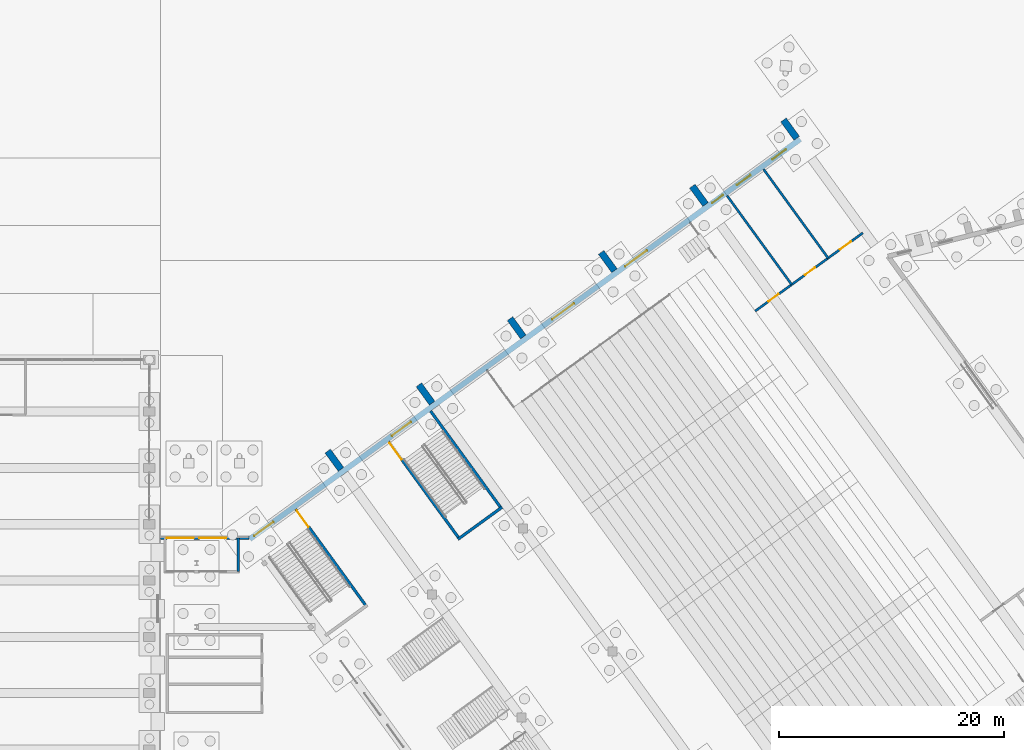
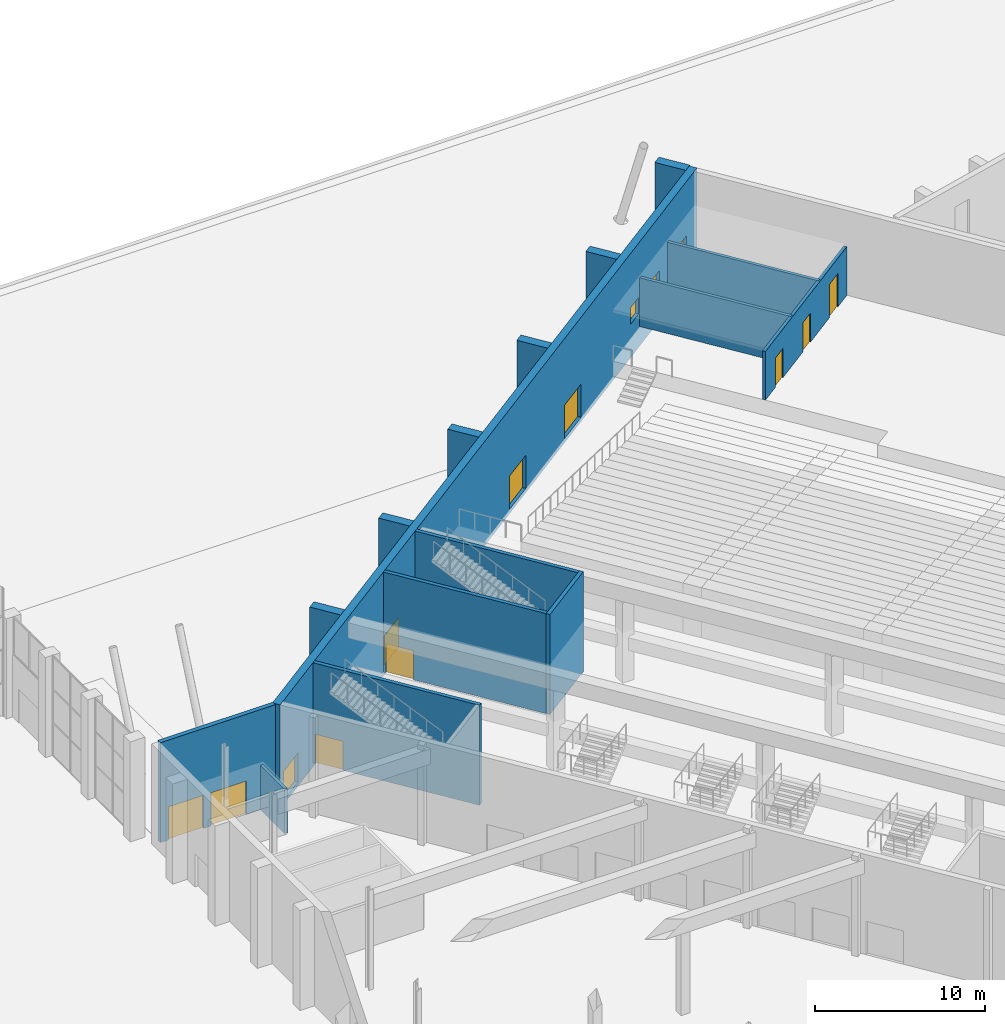
# One storey, part 187 of 239: 16 walls, 11 doors, 3 windows, 14 openings.
"""IFC4 building model written with IfcOpenShell, lengths in metres."""

from ifc_helpers import new_model, si_unit, direction, frame, frame_2d, origin, place, context, subcontext, project, spatial, rectangle, extrude, material, layer, layer_set, type_object, element, fill, save


model = new_model("IFC4")

# Units and contexts
model_context = context("Model", 3, precision=1e-05, world=origin(), true_north=direction((0.0, 1.0)))
body_context = subcontext(model_context, "Body", "Model", "MODEL_VIEW")
ifc_project = project(units=[si_unit("LENGTHUNIT", "METRE"), si_unit("AREAUNIT", "SQUARE_METRE"), si_unit("VOLUMEUNIT", "CUBIC_METRE"), si_unit("PLANEANGLEUNIT", "RADIAN"), si_unit("MASSUNIT", "GRAM", prefix="KILO")], contexts=[model_context])

# Site, building, storey
site_placement = place(None, origin())
site = spatial("IfcSite", under=ifc_project, at=site_placement, CompositionType="ELEMENT")
building_placement = place(site_placement, origin())
building = spatial("IfcBuilding", under=site, at=building_placement, Name="Okhra Congress Centre", CompositionType="ELEMENT")
storey_placement = place(building_placement, origin())
storey = spatial("IfcBuildingStorey", under=building, at=storey_placement, Name="L00", CompositionType="ELEMENT", Elevation=0.0)

# Walls
ifc_material_1 = material(Name="Concrete C35/45", Category="concrete")
ifc_layer_1 = layer(ifc_material_1, 0.60009765625)
ifc_layer_set_1 = layer_set([ifc_layer_1], Name="Buttress fin 600 R 120 C35/45")
wall_type_1 = type_object("IfcWallType", Name="Buttress fin 600 R 120 C35/45", PredefinedType="SOLIDWALL", material=ifc_layer_set_1)
for number, where, z_axis, x_axis, name in (
    (1, (206.013427734375, 205.8759765625, -0.300048828125), (0.0, 0.0, 1.0), (-0.587881334972, 0.808947177504, 0.0), "Buttress fin N -20 L00"),
    (2, (214.103515625, 211.753662109375, -0.300048828125), (0.0, 0.0, 1.0), (-0.587743397701, 0.809047401861, 0.0), "Buttress fin N -10 L00"),
    (3, (222.193603515625, 217.631591796875, -0.300048828125), (0.0, 0.0, 1.0), (-0.587743397701, 0.809047401861, 0.0), "Buttress fin N 0 L00"),
    (4, (230.283935546875, 223.509521484375, -0.300048828125), (0.0, 0.0, 1.0), (-0.587881334972, 0.808947177504, 0.0), "Buttress fin N 10 L00"),
    (5, (238.3740234375, 229.38720703125, -0.300048828125), (0.0, 0.0, 1.0), (-0.587743397701, 0.809047401861, 0.0), "Buttress fin N 20 L00"),
    (6, (246.464111328125, 235.26513671875, -0.300048828125), (0.0, 0.0, 1.0), (-0.587743397701, 0.809047401861, 0.0), "Buttress fin N 30 L00"),
):
    element("IfcWall", number, at=place(storey_placement, frame(where, z_axis=z_axis, x_axis=x_axis)), inside=storey, type_object=wall_type_1, Name=name, PredefinedType="SOLIDWALL", context=body_context, shape_type="SweptSolid", body=[
        extrude(rectangle(XDim=2.0, YDim=0.60009765625, at=frame_2d((1.0, 0.0))), origin(), (0.0, 0.0, 1.0), 7.5),
    ])

# Wall, opening, door
ifc_layer_2 = layer(ifc_material_1, 0.25)
ifc_layer_set_2 = layer_set([ifc_layer_2], Name="RC stair cell wall 250 REI 120 C35/45")
wall_type_2 = type_object("IfcWallType", Name="RC stair cell wall 250 REI 120 C35/45", PredefinedType="SOLIDWALL", material=ifc_layer_set_2)
wall_1_placement = place(storey_placement, frame((201.999267578125, 202.341552734375, 0.0), z_axis=(0.0, 0.0, 1.0), x_axis=(0.587775969834, -0.809023738395, 0.0)))
wall_1 = element("IfcWall", 7, at=wall_1_placement, inside=storey, type_object=wall_type_2, Name="Escape stair 3 wall W L00", PredefinedType="SOLIDWALL", context=body_context, shape_type="SweptSolid", body=[
    extrude(rectangle(XDim=10.75, YDim=0.25, at=frame_2d((5.375, 0.0))), origin(), (0.0, 0.0, 1.0), 7.199951171875),
])
opening_1_placement = place(wall_1_placement, frame((0.14990234375, 0.0, 0.0)))
opening_1 = element("IfcOpeningElement", 8, at=opening_1_placement, cuts=wall_1, Name="Opening L00-204", PredefinedType="OPENING", context=body_context, shape_type="SweptSolid", body=[
    extrude(rectangle(XDim=1.800048828125, YDim=2.10009765625, at=frame_2d((0.89990234375, 1.050048828125))), frame((0.0, 0.135009765625, 0.0), z_axis=(0.0, -1.0, 0.0), x_axis=(1.0, 0.0, 0.0)), (0.0, 0.0, 1.0), 0.27001953125),
])
ifc_material_2 = material(Name="Steel fire door leaves in steel frame, intumescent seals", Category="steel")
door_type_1 = type_object("IfcDoorType", Name="Steel fire door pair 1800x2100 EI 30", OperationType="NOTDEFINED", PredefinedType="DOOR", material=ifc_material_2)
door_1_placement = place(opening_1_placement, origin())
door_1 = element("IfcDoor", 9, at=door_1_placement, inside=storey, type_object=door_type_1, Name="Door L00-204", OperationType="DOUBLE_DOOR_SINGLE_SWING", OverallHeight=2.10009765625, OverallWidth=1.800048828125, PredefinedType="DOOR", context=body_context, shape_type="SweptSolid", body=[
    extrude(rectangle(XDim=1.800048828125, YDim=2.10009765625, at=frame_2d((0.89990234375, 1.050048828125))), frame((0.0, 0.02490234375, 0.0), z_axis=(0.0, -1.0, 0.0), x_axis=(1.0, 0.0, 0.0)), (0.0, 0.0, 1.0), 0.050048828125),
])
fill(opening_1, door_1)

wall_2_placement = place(storey_placement, frame((210.251220703125, 208.3369140625, 0.0), z_axis=(0.0, 0.0, 1.0), x_axis=(0.587775969834, -0.809023738395, 0.0)))
wall_2 = element("IfcWall", 10, at=wall_2_placement, inside=storey, type_object=wall_type_2, Name="Escape stair 4 wall W L00", PredefinedType="SOLIDWALL", context=body_context, shape_type="SweptSolid", body=[
    extrude(rectangle(XDim=10.75, YDim=0.25, at=frame_2d((5.375, 0.0))), origin(), (0.0, 0.0, 1.0), 7.199951171875),
])
opening_2_placement = place(wall_2_placement, frame((0.14990234375, 0.0, 0.0)))
opening_2 = element("IfcOpeningElement", 11, at=opening_2_placement, cuts=wall_2, Name="Opening L00-206", PredefinedType="OPENING", context=body_context, shape_type="SweptSolid", body=[
    extrude(rectangle(XDim=1.800048828125, YDim=2.10009765625, at=frame_2d((0.89990234375, 1.050048828125))), frame((0.0, 0.135009765625, 0.0), z_axis=(0.0, -1.0, 0.0), x_axis=(1.0, 0.0, 0.0)), (0.0, 0.0, 1.0), 0.27001953125),
])
door_2_placement = place(opening_2_placement, frame((1.800048828125, 0.0, 0.0), z_axis=(0.0, 0.0, 1.0), x_axis=(-1.0, 0.0, 0.0)))
door_2 = element("IfcDoor", 12, at=door_2_placement, inside=storey, type_object=door_type_1, Name="Door L00-206", OperationType="DOUBLE_DOOR_SINGLE_SWING", OverallHeight=2.10009765625, OverallWidth=1.800048828125, PredefinedType="DOOR", context=body_context, shape_type="SweptSolid", body=[
    extrude(rectangle(XDim=1.800048828125, YDim=2.10009765625, at=frame_2d((0.89990234375, 1.050048828125))), frame((0.0, 0.02490234375, 0.0), z_axis=(0.0, -1.0, 0.0), x_axis=(1.0, 0.0, 0.0)), (0.0, 0.0, 1.0), 0.050048828125),
])
fill(opening_2, door_2)

# Walls
wall_3_placement = place(storey_placement, frame((213.97265625, 211.040771484375, 0.0), z_axis=(0.0, 0.0, 1.0), x_axis=(0.587775969834, -0.809023738395, 0.0)))
element("IfcWall", 13, at=wall_3_placement, inside=storey, type_object=wall_type_2, Name="Escape stair 4 wall E L00", PredefinedType="SOLIDWALL", context=body_context, shape_type="SweptSolid", body=[
    extrude(rectangle(XDim=10.75, YDim=0.25, at=frame_2d((5.375, 0.0))), origin(), (0.0, 0.0, 1.0), 7.199951171875),
])
wall_4_placement = place(storey_placement, frame((216.395263671875, 199.66748046875, 0.0), z_axis=(0.0, 0.0, 1.0), x_axis=(0.809016791155, 0.587785532001, 0.0)))
element("IfcWall", 14, at=wall_4_placement, inside=storey, type_object=wall_type_2, Name="Escape stair 4 wall F L00", PredefinedType="SOLIDWALL", context=body_context, shape_type="SweptSolid", body=[
    extrude(rectangle(XDim=4.85009765625, YDim=0.25, at=frame_2d((2.425048828125, 0.0))), origin(), (0.0, 0.0, 1.0), 7.199951171875),
])
ifc_material_3 = material(Name="Concrete C30/37", Category="concrete")
ifc_layer_3 = layer(ifc_material_3, 0.199951171875)
ifc_layer_set_3 = layer_set([ifc_layer_3], Name="RC wall 200 C30/37")
wall_type_3 = type_object("IfcWallType", Name="RC wall 200 C30/37", PredefinedType="SOLIDWALL", material=ifc_layer_set_3)
wall_5_placement = place(storey_placement, frame((196.89990234375, 199.7900390625, 0.0), z_axis=(0.0, 0.0, 1.0), x_axis=(0.0, -1.0, 0.0)))
element("IfcWall", 15, at=wall_5_placement, inside=storey, type_object=wall_type_3, Name="Vestibule 4 side wall 2", PredefinedType="SOLIDWALL", context=body_context, shape_type="SweptSolid", body=[
    extrude(rectangle(XDim=3.0, YDim=0.199951171875, at=frame_2d((1.5, 0.0))), origin(), (0.0, 0.0, 1.0), 3.199951171875),
])

# Wall, openings, doors
ifc_layer_4 = layer(ifc_material_3, 0.199951171875)
ifc_layer_set_4 = layer_set([ifc_layer_4], Name="RC wall 200 REI 120 C30/37")
wall_type_4 = type_object("IfcWallType", Name="RC wall 200 REI 120 C30/37", PredefinedType="SOLIDWALL", material=ifc_layer_set_4)
wall_6_placement = place(storey_placement, frame((242.78076171875, 219.91943359375, 1.10009765625), z_axis=(0.0, 0.0, 1.0), x_axis=(0.809019610765, 0.587781651123, 0.0)))
wall_6 = element("IfcWall", 16, at=wall_6_placement, inside=storey, type_object=wall_type_4, Name="Stage wing N front wall", PredefinedType="SOLIDWALL", context=body_context, shape_type="SweptSolid", body=[
    extrude(rectangle(XDim=11.800048828125, YDim=0.199951171875, at=frame_2d((5.89990234375, 0.0))), origin(), (0.0, 0.0, 1.0), 3.5),
])
opening_3_placement = place(wall_6_placement, frame((1.449951171875, 0.0, 0.0)))
opening_3 = element("IfcOpeningElement", 17, at=opening_3_placement, cuts=wall_6, Name="Opening L00-241", PredefinedType="OPENING", context=body_context, shape_type="SweptSolid", body=[
    extrude(rectangle(XDim=1.10009765625, YDim=2.10009765625, at=frame_2d((0.550048828125, 1.050048828125))), frame((0.0, 0.10986328125, 0.0), z_axis=(0.0, -1.0, 0.0), x_axis=(1.0, 0.0, 0.0)), (0.0, 0.0, 1.0), 0.219970703125),
])
opening_4_placement = place(wall_6_placement, frame((5.449951171875, 0.0, 0.0)))
opening_4 = element("IfcOpeningElement", 18, at=opening_4_placement, cuts=wall_6, Name="Opening L00-242", PredefinedType="OPENING", context=body_context, shape_type="SweptSolid", body=[
    extrude(rectangle(XDim=1.10009765625, YDim=2.10009765625, at=frame_2d((0.550048828125, 1.050048828125))), frame((0.0, 0.10986328125, 0.0), z_axis=(0.0, -1.0, 0.0), x_axis=(1.0, 0.0, 0.0)), (0.0, 0.0, 1.0), 0.219970703125),
])
opening_5_placement = place(wall_6_placement, frame((9.300048828125, 0.0, 0.0)))
opening_5 = element("IfcOpeningElement", 19, at=opening_5_placement, cuts=wall_6, Name="Opening L00-243", PredefinedType="OPENING", context=body_context, shape_type="SweptSolid", body=[
    extrude(rectangle(XDim=1.199951171875, YDim=2.39990234375, at=frame_2d((0.60009765625, 1.199951171875))), frame((0.0, 0.10986328125, 0.0), z_axis=(0.0, -1.0, 0.0), x_axis=(1.0, 0.0, 0.0)), (0.0, 0.0, 1.0), 0.219970703125),
])
ifc_material_4 = material(Name="Timber door leaf in steel frame", Category="steel")
door_type_2 = type_object("IfcDoorType", Name="Single swing door 1100x2100", OperationType="NOTDEFINED", PredefinedType="DOOR", material=ifc_material_4)
door_3_placement = place(opening_3_placement, frame((1.10009765625, 0.0, 0.0), z_axis=(0.0, 0.0, 1.0), x_axis=(-1.0, 0.0, 0.0)))
door_3 = element("IfcDoor", 20, at=door_3_placement, inside=storey, type_object=door_type_2, Name="Door L00-241", OperationType="SINGLE_SWING_RIGHT", OverallHeight=2.10009765625, OverallWidth=1.10009765625, PredefinedType="DOOR", context=body_context, shape_type="SweptSolid", body=[
    extrude(rectangle(XDim=1.10009765625, YDim=2.10009765625, at=frame_2d((0.550048828125, 1.050048828125))), frame((0.0, 0.02490234375, 0.0), z_axis=(0.0, -1.0, 0.0), x_axis=(1.0, 0.0, 0.0)), (0.0, 0.0, 1.0), 0.050048828125),
])
fill(opening_3, door_3)
door_4_placement = place(opening_4_placement, frame((1.10009765625, 0.0, 0.0), z_axis=(0.0, 0.0, 1.0), x_axis=(-1.0, 0.0, 0.0)))
door_4 = element("IfcDoor", 21, at=door_4_placement, inside=storey, type_object=door_type_2, Name="Door L00-242", OperationType="SINGLE_SWING_RIGHT", OverallHeight=2.10009765625, OverallWidth=1.10009765625, PredefinedType="DOOR", context=body_context, shape_type="SweptSolid", body=[
    extrude(rectangle(XDim=1.10009765625, YDim=2.10009765625, at=frame_2d((0.550048828125, 1.050048828125))), frame((0.0, 0.02490234375, 0.0), z_axis=(0.0, -1.0, 0.0), x_axis=(1.0, 0.0, 0.0)), (0.0, 0.0, 1.0), 0.050048828125),
])
fill(opening_4, door_4)
ifc_material_5 = material(Name="Steel fire door leaf in steel frame, intumescent seals", Category="steel")
door_type_3 = type_object("IfcDoorType", Name="Steel fire door 1200x2400 EI 30", OperationType="NOTDEFINED", PredefinedType="DOOR", material=ifc_material_5)
door_5_placement = place(opening_5_placement, frame((1.199951171875, 0.0, 0.0), z_axis=(0.0, 0.0, 1.0), x_axis=(-1.0, 0.0, 0.0)))
door_5 = element("IfcDoor", 22, at=door_5_placement, inside=storey, type_object=door_type_3, Name="Door L00-243", OperationType="SINGLE_SWING_RIGHT", OverallHeight=2.39990234375, OverallWidth=1.199951171875, PredefinedType="DOOR", context=body_context, shape_type="SweptSolid", body=[
    extrude(rectangle(XDim=1.199951171875, YDim=2.39990234375, at=frame_2d((0.60009765625, 1.199951171875))), frame((0.0, 0.02490234375, 0.0), z_axis=(0.0, -1.0, 0.0), x_axis=(1.0, 0.0, 0.0)), (0.0, 0.0, 1.0), 0.050048828125),
])
fill(opening_5, door_5)

# Walls
for number, where, z_axis, x_axis, name in (
    (23, (246.016845703125, 222.2705078125, 1.10009765625), (0.0, 0.0, 1.0), (-0.587787505146, 0.809015357577, 0.0), "Stage wing N dividing wall 1"),
    (24, (249.2529296875, 224.62158203125, 1.10009765625), (0.0, 0.0, 1.0), (-0.587787505146, 0.809015357577, 0.0), "Stage wing N dividing wall 2"),
):
    element("IfcWall", number, at=place(storey_placement, frame(where, z_axis=z_axis, x_axis=x_axis)), inside=storey, type_object=wall_type_4, Name=name, PredefinedType="SOLIDWALL", context=body_context, shape_type="SweptSolid", body=[
        extrude(rectangle(XDim=9.75, YDim=0.199951171875, at=frame_2d((4.875, 0.0))), origin(), (0.0, 0.0, 1.0), 3.5),
    ])

# Wall, openings, doors
ifc_layer_5 = layer(ifc_material_3, 0.300048828125)
ifc_layer_set_5 = layer_set([ifc_layer_5], Name="RC wall 300 REI 120 C30/37")
wall_type_5 = type_object("IfcWallType", Name="RC wall 300 REI 120 C30/37", PredefinedType="SOLIDWALL", material=ifc_layer_set_5)
wall_7_placement = place(storey_placement, frame((190.0, 199.7900390625, 0.0), z_axis=(0.0, 0.0, 1.0), x_axis=(1.0, 0.0, 0.0)))
wall_7 = element("IfcWall", 25, at=wall_7_placement, inside=storey, type_object=wall_type_5, Name="Foyer north wall L00", PredefinedType="SOLIDWALL", context=body_context, shape_type="SweptSolid", body=[
    extrude(rectangle(XDim=7.8271484375, YDim=0.300048828125, at=frame_2d((3.91357421875, 0.0))), origin(), (0.0, 0.0, 1.0), 7.199951171875),
])
opening_6_placement = place(wall_7_placement, frame((0.550048828125, 0.0, 0.0)))
opening_6 = element("IfcOpeningElement", 26, at=opening_6_placement, cuts=wall_7, Name="Opening L00-220", PredefinedType="OPENING", context=body_context, shape_type="SweptSolid", body=[
    extrude(rectangle(XDim=2.39990234375, YDim=2.39990234375, at=frame_2d((1.199951171875, 1.199951171875))), frame((0.0, 0.159912109375, 0.0), z_axis=(0.0, -1.0, 0.0), x_axis=(1.0, 0.0, 0.0)), (0.0, 0.0, 1.0), 0.320068359375),
])
opening_7_placement = place(wall_7_placement, frame((3.449951171875, 0.0, 0.0)))
opening_7 = element("IfcOpeningElement", 27, at=opening_7_placement, cuts=wall_7, Name="Opening L00-222", PredefinedType="OPENING", context=body_context, shape_type="SweptSolid", body=[
    extrude(rectangle(XDim=2.39990234375, YDim=2.39990234375, at=frame_2d((1.199951171875, 1.199951171875))), frame((0.0, 0.159912109375, 0.0), z_axis=(0.0, -1.0, 0.0), x_axis=(1.0, 0.0, 0.0)), (0.0, 0.0, 1.0), 0.320068359375),
])
ifc_material_6 = material(Name="Aluminium-framed toughened glass door leaves", Category="aluminium")
door_type_4 = type_object("IfcDoorType", Name="Aluminium glazed door pair 2400x2400", OperationType="NOTDEFINED", PredefinedType="DOOR", material=ifc_material_6)
door_6_placement = place(opening_6_placement, origin())
door_6 = element("IfcDoor", 28, at=door_6_placement, inside=storey, type_object=door_type_4, Name="Door L00-220", OperationType="DOUBLE_DOOR_SINGLE_SWING", OverallHeight=2.39990234375, OverallWidth=2.39990234375, PredefinedType="DOOR", context=body_context, shape_type="SweptSolid", body=[
    extrude(rectangle(XDim=2.39990234375, YDim=2.39990234375, at=frame_2d((1.199951171875, 1.199951171875))), frame((0.0, 0.02490234375, 0.0), z_axis=(0.0, -1.0, 0.0), x_axis=(1.0, 0.0, 0.0)), (0.0, 0.0, 1.0), 0.050048828125),
])
fill(opening_6, door_6)
door_7_placement = place(opening_7_placement, origin())
door_7 = element("IfcDoor", 29, at=door_7_placement, inside=storey, type_object=door_type_4, Name="Door L00-222", OperationType="DOUBLE_DOOR_SINGLE_SWING", OverallHeight=2.39990234375, OverallWidth=2.39990234375, PredefinedType="DOOR", context=body_context, shape_type="SweptSolid", body=[
    extrude(rectangle(XDim=2.39990234375, YDim=2.39990234375, at=frame_2d((1.199951171875, 1.199951171875))), frame((0.0, 0.02490234375, 0.0), z_axis=(0.0, -1.0, 0.0), x_axis=(1.0, 0.0, 0.0)), (0.0, 0.0, 1.0), 0.050048828125),
])
fill(opening_7, door_7)

# Wall, openings, doors, windows
ifc_layer_6 = layer(ifc_material_1, 0.5)
ifc_layer_set_6 = layer_set([ifc_layer_6], Name="RC wall 500 REI 120 C35/45")
wall_type_6 = type_object("IfcWallType", Name="RC wall 500 REI 120 C35/45", PredefinedType="SOLIDWALL", material=ifc_layer_set_6)
wall_8_placement = place(storey_placement, frame((197.908203125, 199.67822265625, -0.300048828125), z_axis=(0.0, 0.0, 1.0), x_axis=(0.809017930405, 0.587783963956, 0.0)))
wall_8 = element("IfcWall", 30, at=wall_8_placement, inside=storey, type_object=wall_type_6, Name="Buttress wall N L00", PredefinedType="SOLIDWALL", context=body_context, shape_type="SweptSolid", body=[
    extrude(rectangle(XDim=60.400146484375, YDim=0.5, at=frame_2d((30.2001953125, 0.0))), origin(), (0.0, 0.0, 1.0), 7.5),
])
opening_8_placement = place(wall_8_placement, frame((41.199951171875, 0.0, 0.300048828125)))
opening_8 = element("IfcOpeningElement", 31, at=opening_8_placement, cuts=wall_8, Name="Opening L00-107", PredefinedType="OPENING", context=body_context, shape_type="SweptSolid", body=[
    extrude(rectangle(XDim=2.39990234375, YDim=2.39990234375, at=frame_2d((1.199951171875, 1.199951171875))), frame((0.0, 0.260009765625, 0.0), z_axis=(0.0, -1.0, 0.0), x_axis=(1.0, 0.0, 0.0)), (0.0, 0.0, 1.0), 0.52001953125),
])
opening_9_placement = place(wall_8_placement, frame((33.199951171875, 0.0, 0.300048828125)))
opening_9 = element("IfcOpeningElement", 32, at=opening_9_placement, cuts=wall_8, Name="Opening L00-108", PredefinedType="OPENING", context=body_context, shape_type="SweptSolid", body=[
    extrude(rectangle(XDim=2.39990234375, YDim=2.39990234375, at=frame_2d((1.199951171875, 1.199951171875))), frame((0.0, 0.260009765625, 0.0), z_axis=(0.0, -1.0, 0.0), x_axis=(1.0, 0.0, 0.0)), (0.0, 0.0, 1.0), 0.52001953125),
])
opening_10_placement = place(wall_8_placement, frame((0.5, 0.0, 0.300048828125)))
opening_10 = element("IfcOpeningElement", 33, at=opening_10_placement, cuts=wall_8, Name="Opening L00-205", PredefinedType="OPENING", context=body_context, shape_type="SweptSolid", body=[
    extrude(rectangle(XDim=2.10009765625, YDim=2.10009765625, at=frame_2d((1.050048828125, 1.050048828125))), frame((0.0, 0.260009765625, 0.0), z_axis=(0.0, -1.0, 0.0), x_axis=(1.0, 0.0, 0.0)), (0.0, 0.0, 1.0), 0.52001953125),
])
opening_11_placement = place(wall_8_placement, frame((15.60009765625, 0.0, 0.300048828125)))
opening_11 = element("IfcOpeningElement", 34, at=opening_11_placement, cuts=wall_8, Name="Opening L00-207", PredefinedType="OPENING", context=body_context, shape_type="SweptSolid", body=[
    extrude(rectangle(XDim=2.10009765625, YDim=2.10009765625, at=frame_2d((1.050048828125, 1.050048828125))), frame((0.0, 0.260009765625, 0.0), z_axis=(0.0, -1.0, 0.0), x_axis=(1.0, 0.0, 0.0)), (0.0, 0.0, 1.0), 0.52001953125),
])
opening_12_placement = place(wall_8_placement, frame((50.75, 0.0, 2.39990234375)))
opening_12 = element("IfcOpeningElement", 35, at=opening_12_placement, cuts=wall_8, Name="Opening WN35", PredefinedType="OPENING", context=body_context, shape_type="SweptSolid", body=[
    extrude(rectangle(XDim=1.199951171875, YDim=1.199951171875, at=frame_2d((0.60009765625, 0.60009765625))), frame((0.0, 0.260009765625, 0.0), z_axis=(0.0, -1.0, 0.0), x_axis=(1.0, 0.0, 0.0)), (0.0, 0.0, 1.0), 0.52001953125),
])
opening_13_placement = place(wall_8_placement, frame((53.449951171875, 0.0, 2.39990234375)))
opening_13 = element("IfcOpeningElement", 36, at=opening_13_placement, cuts=wall_8, Name="Opening WN36", PredefinedType="OPENING", context=body_context, shape_type="SweptSolid", body=[
    extrude(rectangle(XDim=1.5, YDim=1.199951171875, at=frame_2d((0.75, 0.60009765625))), frame((0.0, 0.260009765625, 0.0), z_axis=(0.0, -1.0, 0.0), x_axis=(1.0, 0.0, 0.0)), (0.0, 0.0, 1.0), 0.52001953125),
])
opening_14_placement = place(wall_8_placement, frame((57.35009765625, 0.0, 2.39990234375)))
opening_14 = element("IfcOpeningElement", 37, at=opening_14_placement, cuts=wall_8, Name="Opening WN36", PredefinedType="OPENING", context=body_context, shape_type="SweptSolid", body=[
    extrude(rectangle(XDim=1.5, YDim=1.199951171875, at=frame_2d((0.75, 0.60009765625))), frame((0.0, 0.260009765625, 0.0), z_axis=(0.0, -1.0, 0.0), x_axis=(1.0, 0.0, 0.0)), (0.0, 0.0, 1.0), 0.52001953125),
])
ifc_material_7 = material(Name="Timber door leaves in steel frame", Category="steel")
door_type_5 = type_object("IfcDoorType", Name="Double swing door 2100x2100", OperationType="NOTDEFINED", PredefinedType="DOOR", material=ifc_material_7)
door_8_placement = place(opening_10_placement, origin())
door_8 = element("IfcDoor", 38, at=door_8_placement, inside=storey, type_object=door_type_5, Name="Door L00-205", OperationType="DOUBLE_DOOR_SINGLE_SWING", OverallHeight=2.10009765625, OverallWidth=2.10009765625, PredefinedType="DOOR", context=body_context, shape_type="SweptSolid", body=[
    extrude(rectangle(XDim=2.10009765625, YDim=2.10009765625, at=frame_2d((1.050048828125, 1.050048828125))), frame((0.0, 0.02490234375, 0.0), z_axis=(0.0, -1.0, 0.0), x_axis=(1.0, 0.0, 0.0)), (0.0, 0.0, 1.0), 0.050048828125),
])
fill(opening_10, door_8)
door_9_placement = place(opening_11_placement, origin())
door_9 = element("IfcDoor", 39, at=door_9_placement, inside=storey, type_object=door_type_5, Name="Door L00-207", OperationType="DOUBLE_DOOR_SINGLE_SWING", OverallHeight=2.10009765625, OverallWidth=2.10009765625, PredefinedType="DOOR", context=body_context, shape_type="SweptSolid", body=[
    extrude(rectangle(XDim=2.10009765625, YDim=2.10009765625, at=frame_2d((1.050048828125, 1.050048828125))), frame((0.0, 0.02490234375, 0.0), z_axis=(0.0, -1.0, 0.0), x_axis=(1.0, 0.0, 0.0)), (0.0, 0.0, 1.0), 0.050048828125),
])
fill(opening_11, door_9)
door_type_6 = type_object("IfcDoorType", Name="Double swing door 2400x2400", OperationType="NOTDEFINED", PredefinedType="DOOR", material=ifc_material_7)
door_10_placement = place(opening_8_placement, origin())
door_10 = element("IfcDoor", 40, at=door_10_placement, inside=storey, type_object=door_type_6, Name="Door L00-107", OperationType="DOUBLE_DOOR_SINGLE_SWING", OverallHeight=2.39990234375, OverallWidth=2.39990234375, PredefinedType="DOOR", context=body_context, shape_type="SweptSolid", body=[
    extrude(rectangle(XDim=2.39990234375, YDim=2.39990234375, at=frame_2d((1.199951171875, 1.199951171875))), frame((0.0, 0.02490234375, 0.0), z_axis=(0.0, -1.0, 0.0), x_axis=(1.0, 0.0, 0.0)), (0.0, 0.0, 1.0), 0.050048828125),
])
fill(opening_8, door_10)
door_11_placement = place(opening_9_placement, origin())
door_11 = element("IfcDoor", 41, at=door_11_placement, inside=storey, type_object=door_type_6, Name="Door L00-108", OperationType="DOUBLE_DOOR_SINGLE_SWING", OverallHeight=2.39990234375, OverallWidth=2.39990234375, PredefinedType="DOOR", context=body_context, shape_type="SweptSolid", body=[
    extrude(rectangle(XDim=2.39990234375, YDim=2.39990234375, at=frame_2d((1.199951171875, 1.199951171875))), frame((0.0, 0.02490234375, 0.0), z_axis=(0.0, -1.0, 0.0), x_axis=(1.0, 0.0, 0.0)), (0.0, 0.0, 1.0), 0.050048828125),
])
fill(opening_9, door_11)
ifc_material_8 = material(Name="Thermally broken aluminium frame, triple glazing", Category="aluminium")
window_type_1 = type_object("IfcWindowType", Name="Fixed window 1200x1200", PartitioningType="SINGLE_PANEL", PredefinedType="WINDOW", material=ifc_material_8)
window_1_placement = place(opening_12_placement, origin())
window_1 = element("IfcWindow", 42, at=window_1_placement, inside=storey, type_object=window_type_1, Name="PH.WIN.L00.8", OverallHeight=1.199951171875, OverallWidth=1.199951171875, PartitioningType="SINGLE_PANEL", PredefinedType="WINDOW", context=body_context, shape_type="SweptSolid", body=[
    extrude(rectangle(XDim=1.199951171875, YDim=1.199951171875, at=frame_2d((0.60009765625, 0.60009765625))), frame((0.0, 0.030029296875, 0.0), z_axis=(0.0, -1.0, 0.0), x_axis=(1.0, 0.0, 0.0)), (0.0, 0.0, 1.0), 0.06005859375),
])
fill(opening_12, window_1)
window_type_2 = type_object("IfcWindowType", Name="Fixed window 1500x1200", PartitioningType="SINGLE_PANEL", PredefinedType="WINDOW", material=ifc_material_8)
window_2_placement = place(opening_13_placement, origin())
window_2 = element("IfcWindow", 43, at=window_2_placement, inside=storey, type_object=window_type_2, Name="PH.WIN.L00.9", OverallHeight=1.199951171875, OverallWidth=1.5, PartitioningType="SINGLE_PANEL", PredefinedType="WINDOW", context=body_context, shape_type="SweptSolid", body=[
    extrude(rectangle(XDim=1.5, YDim=1.199951171875, at=frame_2d((0.75, 0.60009765625))), frame((0.0, 0.030029296875, 0.0), z_axis=(0.0, -1.0, 0.0), x_axis=(1.0, 0.0, 0.0)), (0.0, 0.0, 1.0), 0.06005859375),
])
fill(opening_13, window_2)
window_3_placement = place(opening_14_placement, origin())
window_3 = element("IfcWindow", 44, at=window_3_placement, inside=storey, type_object=window_type_2, Name="PH.WIN.L00.10", OverallHeight=1.199951171875, OverallWidth=1.5, PartitioningType="SINGLE_PANEL", PredefinedType="WINDOW", context=body_context, shape_type="SweptSolid", body=[
    extrude(rectangle(XDim=1.5, YDim=1.199951171875, at=frame_2d((0.75, 0.60009765625))), frame((0.0, 0.030029296875, 0.0), z_axis=(0.0, -1.0, 0.0), x_axis=(1.0, 0.0, 0.0)), (0.0, 0.0, 1.0), 0.06005859375),
])
fill(opening_14, window_3)

save(model, "model.ifc")
